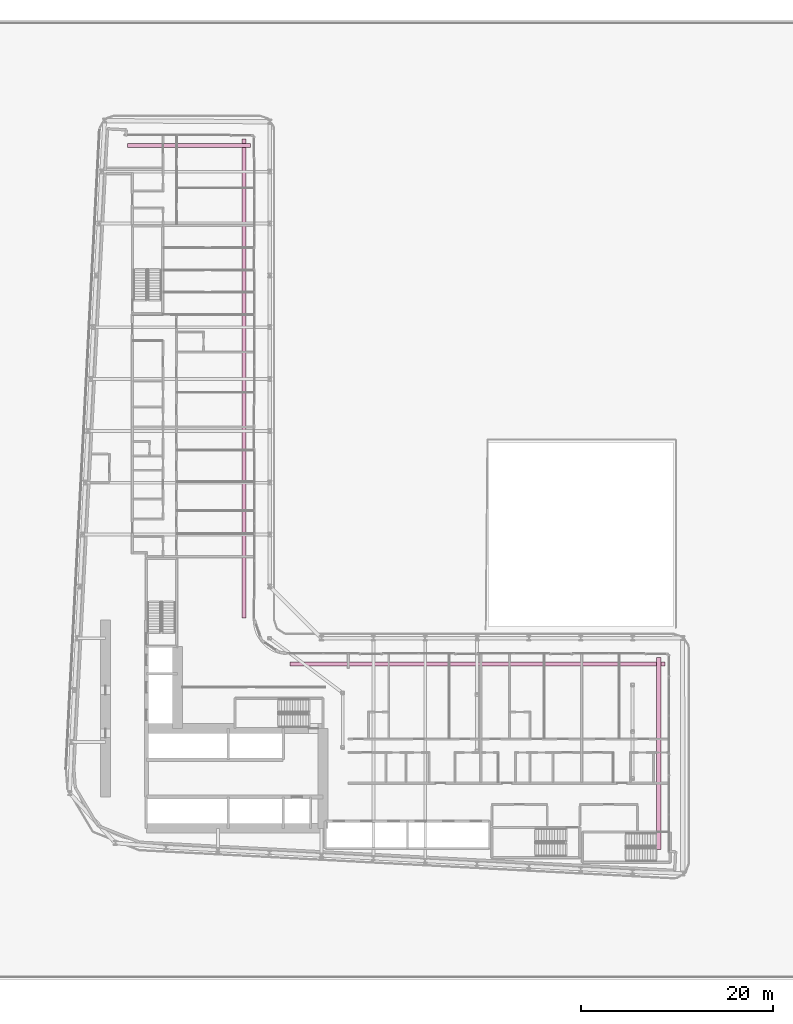
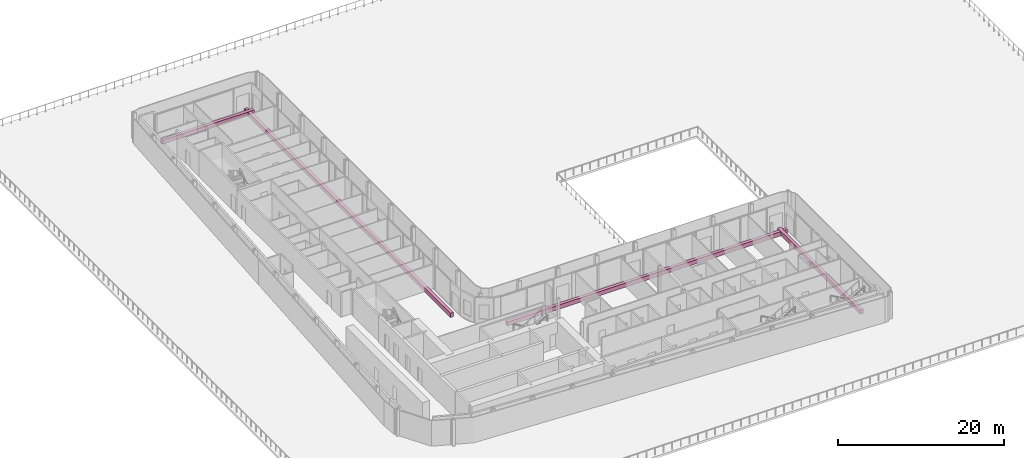
# One storey, part 27 of 27: 4 furniture elements.
"""IFC4 building model written with IfcOpenShell, lengths in metres."""

from ifc_helpers import new_model, si_unit, direction, frame, origin, origin_2d, place, context, subcontext, project, spatial, rectangle, extrude, material, type_object, element, save


model = new_model("IFC4")

# Units and contexts
model_context = context("Model", 3, precision=1e-05, world=origin(), true_north=direction((0.0, 1.0)))
body_context = subcontext(model_context, "Body", "Model", "MODEL_VIEW")
ifc_project = project(units=[si_unit("LENGTHUNIT", "METRE"), si_unit("AREAUNIT", "SQUARE_METRE"), si_unit("VOLUMEUNIT", "CUBIC_METRE"), si_unit("PLANEANGLEUNIT", "RADIAN"), si_unit("MASSUNIT", "GRAM", prefix="KILO")], contexts=[model_context])

# Site, building, storey
site_placement = place(None, origin())
site = spatial("IfcSite", under=ifc_project, at=site_placement, CompositionType="ELEMENT")
building_placement = place(site_placement, origin())
building = spatial("IfcBuilding", under=site, at=building_placement, Name="Kheshtan School and Residences Tower", CompositionType="ELEMENT")
storey_placement = place(building_placement, frame((0.0, 0.0, 30.5)))
storey = spatial("IfcBuildingStorey", under=building, at=storey_placement, Name="L06", CompositionType="ELEMENT", Elevation=30.5)

# Furniture
ifc_material = material(Name="Precast concrete C30/37 in terracotta finish", Category="masonry")
furniture_type = type_object("IfcFurnitureType", Name="Planter trough", AssemblyPlace="NOTDEFINED", PredefinedType="USERDEFINED", material=ifc_material)
furniture_1_placement = place(storey_placement, frame((39.196044921875, 96.925048828125, 0.0), z_axis=(0.0, 0.0, 1.0), x_axis=(1.0, 0.0, 0.0)))
element("IfcFurniture", 1, at=furniture_1_placement, inside=storey, type_object=furniture_type, Name="Planter L06", ObjectType="PLANTER", PredefinedType="USERDEFINED", context=body_context, shape_type="SweptSolid", body=[
    extrude(rectangle(XDim=12.80810546875, YDim=0.449951171875, at=origin_2d()), origin(), (0.0, 0.0, 1.0), 0.60009765625),
])
furniture_2_placement = place(storey_placement, frame((44.925048828125, 72.6650390625, 0.0), z_axis=(0.0, 0.0, 1.0), x_axis=(0.0, -1.0, 0.0)))
element("IfcFurniture", 2, at=furniture_2_placement, inside=storey, type_object=furniture_type, Name="Planter L06", ObjectType="PLANTER", PredefinedType="USERDEFINED", context=body_context, shape_type="SweptSolid", body=[
    extrude(rectangle(XDim=49.8701171875, YDim=0.449951171875, at=origin_2d()), origin(), (0.0, 0.0, 1.0), 0.60009765625),
])
furniture_3_placement = place(storey_placement, frame((69.264892578125, 42.925048828125, 0.0), z_axis=(0.0, 0.0, 1.0), x_axis=(1.0, 0.0, 0.0)))
element("IfcFurniture", 3, at=furniture_3_placement, inside=storey, type_object=furniture_type, Name="Planter L06", ObjectType="PLANTER", PredefinedType="USERDEFINED", context=body_context, shape_type="SweptSolid", body=[
    extrude(rectangle(XDim=39.070068359375, YDim=0.449951171875, at=origin_2d()), origin(), (0.0, 0.0, 1.0), 0.60009765625),
])
furniture_4_placement = place(storey_placement, frame((88.125, 33.591064453125, 0.0), z_axis=(0.0, 0.0, 1.0), x_axis=(0.0, -1.0, 0.0)))
element("IfcFurniture", 4, at=furniture_4_placement, inside=storey, type_object=furniture_type, Name="Planter L06", ObjectType="PLANTER", PredefinedType="USERDEFINED", context=body_context, shape_type="SweptSolid", body=[
    extrude(rectangle(XDim=20.01708984375, YDim=0.449951171875, at=origin_2d()), origin(), (0.0, 0.0, 1.0), 0.60009765625),
])

save(model, "model.ifc")
